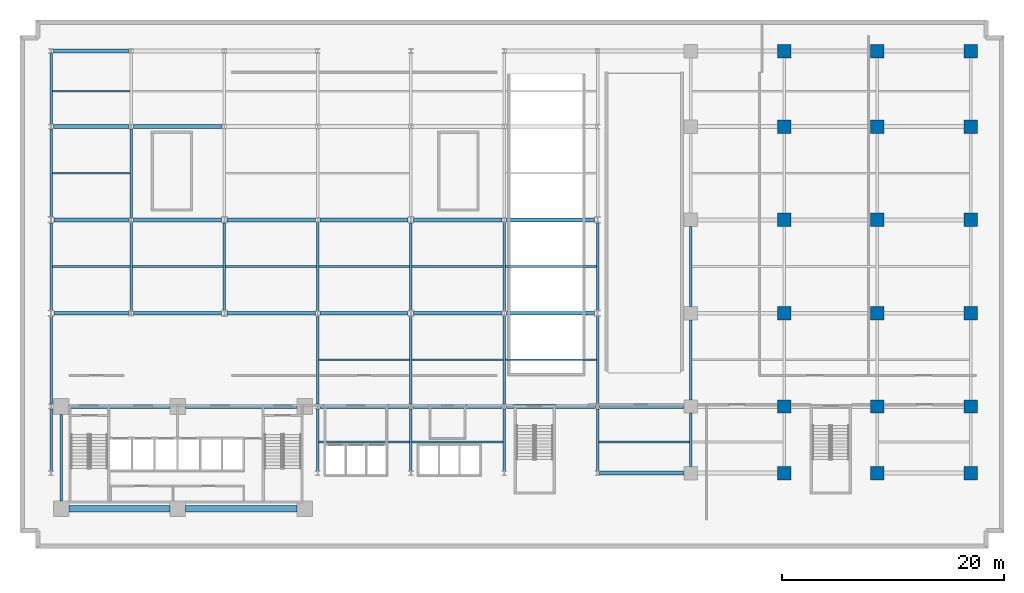
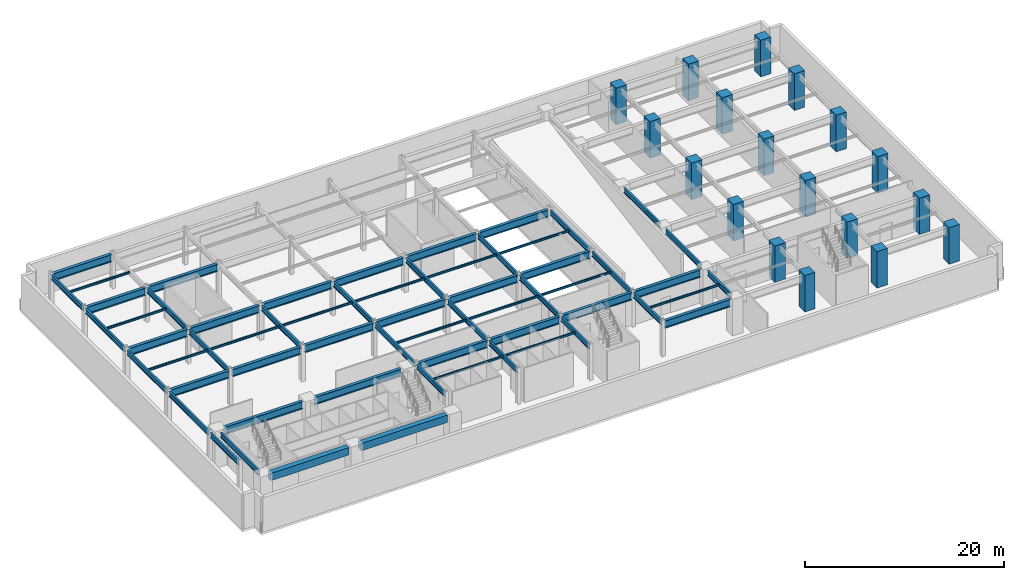
# One storey, part 3 of 14: 62 beams, 18 columns.
"""IFC4 building model written with IfcOpenShell, lengths in metres."""

import ifcopenshell
import ifcopenshell.guid

model = None  # the IFC model being written
_history = None  # IfcOwnerHistory: only IFC2X3 demands one
_inside = {}  # id of a spatial element -> (the spatial element, [elements in it])
_under = {}  # id of a project, library or spatial element -> (it, [spatial elements below it])
_declared = {}  # id of a project -> (the project, [libraries it declares])
_typed = {}  # id of a type object -> (the type object, [elements of that type])
_made_of = {}  # id of a material, layer set ... -> (it, [elements and type objects made of it])


def new_model(schema):
    """Start an empty IFC model of exactly this schema.

    Asked for "IFC4X3", IfcOpenShell would pick the latest addendum, in which some entities
    have other attributes; the version numbers below select the first issue.
    IFC2X3 requires an IfcOwnerHistory on every rooted entity: one is made here for all.
    """
    global model, _history
    if schema == "IFC4X3":
        model = ifcopenshell.file(schema_version=(4, 3, 0, 0))
    else:
        model = ifcopenshell.file(schema=schema)
    _inside.clear()
    _under.clear()
    _declared.clear()
    _typed.clear()
    _made_of.clear()
    _history = None
    if model.schema == "IFC2X3":
        org = make("IfcOrganization", Name="unknown")
        user = make(
            "IfcPersonAndOrganization",
            ThePerson=make("IfcPerson", FamilyName="unknown"),
            TheOrganization=org,
        )
        app = make(
            "IfcApplication",
            ApplicationDeveloper=org,
            Version="unknown",
            ApplicationFullName="unknown",
            ApplicationIdentifier="unknown",
        )
        _history = make(
            "IfcOwnerHistory",
            OwningUser=user,
            OwningApplication=app,
            ChangeAction="ADDED",
            CreationDate=0,
        )
    return model


def make(cls, **values):
    """One entity of the class cls with the attributes given. An attribute that is None is left unset."""
    return model.create_entity(
        cls, **{name: value for name, value in values.items() if value is not None}
    )


def rooted(cls, **values):
    """An entity with a GlobalId (a new one), such as an element, a storey or a relation."""
    return make(cls, GlobalId=ifcopenshell.guid.new(), OwnerHistory=_history, **values)


def si_unit(unit_type, name, prefix=None):
    """IfcSIUnit, for example si_unit("LENGTHUNIT", "METRE", prefix="MILLI")."""
    return make("IfcSIUnit", UnitType=unit_type, Prefix=prefix, Name=name)


def assignment(units):
    """IfcUnitAssignment: the units of a project."""
    return None if units is None else make("IfcUnitAssignment", Units=units)


def point(xyz):
    """IfcCartesianPoint."""
    return None if xyz is None else make("IfcCartesianPoint", Coordinates=xyz)


def direction(xyz):
    """IfcDirection."""
    return None if xyz is None else make("IfcDirection", DirectionRatios=xyz)


def frame(location, z_axis=None, x_axis=None):
    """IfcAxis2Placement3D, a coordinate frame: its origin and axes. An axis left out is left unset."""
    return make(
        "IfcAxis2Placement3D",
        Location=point(location),
        Axis=direction(z_axis),
        RefDirection=direction(x_axis),
    )


def frame_2d(location, x_axis=None):
    """IfcAxis2Placement2D, a coordinate frame in the plane: its origin and x axis."""
    return make(
        "IfcAxis2Placement2D", Location=point(location), RefDirection=direction(x_axis)
    )


def origin():
    """The frame at (0, 0, 0) with its axes left unset."""
    return frame((0.0, 0.0, 0.0))


def origin_2d():
    """The frame at (0, 0) in the plane with its x axis left unset."""
    return frame_2d((0.0, 0.0))


def place(relative_to, where):
    """IfcLocalPlacement: puts the frame where relative to a parent placement (None: the world)."""
    return make(
        "IfcLocalPlacement", PlacementRelTo=relative_to, RelativePlacement=where
    )


def context(
    kind, dimensions, precision=None, world=None, true_north=None, identifier=None
):
    """IfcGeometricRepresentationContext, for example the 3D "Model" context."""
    return make(
        "IfcGeometricRepresentationContext",
        ContextIdentifier=identifier,
        ContextType=kind,
        CoordinateSpaceDimension=dimensions,
        Precision=precision,
        WorldCoordinateSystem=world,
        TrueNorth=true_north,
    )


def subcontext(parent, identifier, kind, view, scale=None):
    """IfcGeometricRepresentationSubContext, for example "Body" below "Model"."""
    return make(
        "IfcGeometricRepresentationSubContext",
        ContextIdentifier=identifier,
        ContextType=kind,
        ParentContext=parent,
        TargetScale=scale,
        TargetView=view,
    )


def project(units=None, contexts=None):
    """IfcProject with its units and contexts."""
    return rooted(
        "IfcProject",
        Name="project",
        RepresentationContexts=contexts,
        UnitsInContext=assignment(units),
    )


def spatial(cls, under=None, at=None, **own):
    """A site, building, storey or space (cls), placed at a placement, below another one or the project."""
    s = rooted(cls, ObjectPlacement=at, **own)
    if under is not None:
        _under.setdefault(under.id(), (under, []))[1].append(s)
    return s


def profile(cls, at=None, kind="AREA", **sizes):
    """A parametric profile (cls). Its sizes go by their IFC names, for example OverallWidth=200.0."""
    return make(cls, ProfileType=kind, Position=at, **sizes)


def rectangle(**sizes):
    """IfcRectangleProfileDef."""
    return profile("IfcRectangleProfileDef", **sizes)


def i_section(**sizes):
    """IfcIShapeProfileDef."""
    return profile("IfcIShapeProfileDef", **sizes)


def extrude(swept, where, along, depth):
    """IfcExtrudedAreaSolid: the profile swept, set in the frame where, extruded along a direction by depth."""
    return make(
        "IfcExtrudedAreaSolid",
        SweptArea=swept,
        Position=where,
        ExtrudedDirection=direction(along),
        Depth=depth,
    )


def shape(context_of_items, identifier, shape_type, items):
    """IfcShapeRepresentation: the items that make up one representation, for example the "Body"."""
    return make(
        "IfcShapeRepresentation",
        ContextOfItems=context_of_items,
        RepresentationIdentifier=identifier,
        RepresentationType=shape_type,
        Items=items,
    )


def material(Name=None, Category=None):
    """IfcMaterial."""
    return make("IfcMaterial", Name=Name, Category=Category)


def material_profile(
    of_material, cross_section, Name=None, Category=None, Priority=None
):
    """IfcMaterialProfile: a cross section and its material."""
    return make(
        "IfcMaterialProfile",
        Name=Name,
        Material=of_material,
        Profile=cross_section,
        Priority=Priority,
        Category=Category,
    )


def profile_set(profiles, Name=None, composite=None):
    """IfcMaterialProfileSet."""
    return make(
        "IfcMaterialProfileSet",
        Name=Name,
        MaterialProfiles=profiles,
        CompositeProfile=composite,
    )


def made_of(thing, what):
    """Note that an element or type object is made of a material, layer set ...; save() writes the relation."""
    if what is not None:
        _made_of.setdefault(what.id(), (what, []))[1].append(thing)
    return thing


def type_object(cls, material=None, **own):
    """A type object (cls), such as IfcWallType, which elements share."""
    return made_of(rooted(cls, **own), material)


def element(
    cls,
    number,
    at=None,
    inside=None,
    cuts=None,
    type_object=None,
    material=None,
    context=None,
    identifier="Body",
    shape_type=None,
    held_by="IfcProductDefinitionShape",
    body=None,
    shapes=None,
    **own,
):
    """One element of the class cls, such as IfcWall. Its Tag is "e" and its number.

    at: its placement. inside: the storey or other place that contains it. cuts: it is an
    opening in that element (IfcRelVoidsElement). A single representation is given by context,
    identifier, shape_type and body (its items); several are given by shapes. held_by: the class
    of the entity that holds the representations. save() writes the other relations.
    """
    e = rooted(cls, Tag="e%d" % number, ObjectPlacement=at, **own)
    if body is not None:
        shapes = [shape(context, identifier, shape_type, body)]
    if shapes is not None:
        e.Representation = make(held_by, Representations=shapes)
    if inside is not None:
        _inside.setdefault(inside.id(), (inside, []))[1].append(e)
    if cuts is not None:
        rooted(
            "IfcRelVoidsElement", RelatingBuildingElement=cuts, RelatedOpeningElement=e
        )
    if type_object is not None:
        _typed.setdefault(type_object.id(), (type_object, []))[1].append(e)
    return made_of(e, material)


def aggregate(whole, parts):
    """IfcRelAggregates: a whole, such as a stair, and the parts it consists of."""
    return rooted("IfcRelAggregates", RelatingObject=whole, RelatedObjects=parts)


def save(model, path):
    """Write the relations noted so far, then the file.

    IfcRelAggregates (storeys below a building ...), IfcRelContainedInSpatialStructure (elements
    in a storey), IfcRelDefinesByType, IfcRelAssociatesMaterial and IfcRelDeclares: one each for
    every whole, place, type object, material and project.
    """
    for whole, parts in _under.values():
        aggregate(whole, parts)
    for where, things in _inside.values():
        rooted(
            "IfcRelContainedInSpatialStructure",
            RelatedElements=things,
            RelatingStructure=where,
        )
    for kind, things in _typed.values():
        rooted("IfcRelDefinesByType", RelatedObjects=things, RelatingType=kind)
    for what, things in _made_of.values():
        rooted("IfcRelAssociatesMaterial", RelatedObjects=things, RelatingMaterial=what)
    for by, libraries in _declared.values():
        rooted("IfcRelDeclares", RelatingContext=by, RelatedDefinitions=libraries)
    model.write(path)


model = new_model("IFC4")

# Units and contexts
model_context = context("Model", 3, precision=1e-05, world=origin(), true_north=direction((0.0, 1.0)))
body_context = subcontext(model_context, "Body", "Model", "MODEL_VIEW")
ifc_project = project(units=[si_unit("LENGTHUNIT", "METRE"), si_unit("AREAUNIT", "SQUARE_METRE"), si_unit("VOLUMEUNIT", "CUBIC_METRE"), si_unit("PLANEANGLEUNIT", "RADIAN"), si_unit("MASSUNIT", "GRAM", prefix="KILO")], contexts=[model_context])

# Site, building, storey
site_placement = place(None, origin())
site = spatial("IfcSite", under=ifc_project, at=site_placement, CompositionType="ELEMENT")
building_placement = place(site_placement, origin())
building = spatial("IfcBuilding", under=site, at=building_placement, Name="Varnakote Quay Hospital", CompositionType="ELEMENT")
storey_placement = place(building_placement, frame((0.0, 0.0, -4.5)))
storey = spatial("IfcBuildingStorey", under=building, at=storey_placement, Name="B01", CompositionType="ELEMENT", Elevation=-4.5)

# Columns
ifc_material_1 = material(Name="Concrete N80 (f'c 80 MPa)", Category="concrete")
ifc_material_profile_1 = material_profile(ifc_material_1, rectangle(XDim=1.199951171875, YDim=1.199951171875, at=origin_2d()), Name="RC-COL-1200x1200")
ifc_profile_set_1 = profile_set([ifc_material_profile_1], Name="Concrete N80 (f'c 80 MPa)")
column_type = type_object("IfcColumnType", Name="COL-RC-1200", PredefinedType="COLUMN", material=ifc_profile_set_1)
for number, where, z_axis, x_axis, name in (
    (1, (67.199951171875, 6.0, 0.0), (0.0, 0.0, 1.0), (1.0, 0.0, 0.0), "B01 Structural Column C-67-6"),
    (2, (75.60009765625, 6.0, 0.0), (0.0, 0.0, 1.0), (1.0, 0.0, 0.0), "B01 Structural Column C-76-6"),
    (3, (84.0, 6.0, 0.0), (0.0, 0.0, 1.0), (1.0, 0.0, 0.0), "B01 Structural Column C-84-6"),
    (4, (67.199951171875, 12.0, 0.0), (0.0, 0.0, 1.0), (1.0, 0.0, 0.0), "B01 Structural Column C-67-12"),
    (5, (75.60009765625, 12.0, 0.0), (0.0, 0.0, 1.0), (1.0, 0.0, 0.0), "B01 Structural Column C-76-12"),
    (6, (84.0, 12.0, 0.0), (0.0, 0.0, 1.0), (1.0, 0.0, 0.0), "B01 Structural Column C-84-12"),
    (7, (67.199951171875, 20.39990234375, 0.0), (0.0, 0.0, 1.0), (1.0, 0.0, 0.0), "B01 Structural Column C-67-20"),
    (8, (75.60009765625, 20.39990234375, 0.0), (0.0, 0.0, 1.0), (1.0, 0.0, 0.0), "B01 Structural Column C-76-20"),
    (9, (84.0, 20.39990234375, 0.0), (0.0, 0.0, 1.0), (1.0, 0.0, 0.0), "B01 Structural Column C-84-20"),
    (10, (67.199951171875, 28.800048828125, 0.0), (0.0, 0.0, 1.0), (1.0, 0.0, 0.0), "B01 Structural Column C-67-29"),
    (11, (75.60009765625, 28.800048828125, 0.0), (0.0, 0.0, 1.0), (1.0, 0.0, 0.0), "B01 Structural Column C-76-29"),
    (12, (84.0, 28.800048828125, 0.0), (0.0, 0.0, 1.0), (1.0, 0.0, 0.0), "B01 Structural Column C-84-29"),
    (13, (67.199951171875, 37.199951171875, 0.0), (0.0, 0.0, 1.0), (1.0, 0.0, 0.0), "B01 Structural Column C-67-37"),
    (14, (75.60009765625, 37.199951171875, 0.0), (0.0, 0.0, 1.0), (1.0, 0.0, 0.0), "B01 Structural Column C-76-37"),
    (15, (84.0, 37.199951171875, 0.0), (0.0, 0.0, 1.0), (1.0, 0.0, 0.0), "B01 Structural Column C-84-37"),
    (16, (67.199951171875, 44.0, 0.0), (0.0, 0.0, 1.0), (1.0, 0.0, 0.0), "B01 Structural Column C-67-44"),
    (17, (75.60009765625, 44.0, 0.0), (0.0, 0.0, 1.0), (1.0, 0.0, 0.0), "B01 Structural Column C-76-44"),
    (18, (84.0, 44.0, 0.0), (0.0, 0.0, 1.0), (1.0, 0.0, 0.0), "B01 Structural Column C-84-44"),
):
    element("IfcColumn", number, at=place(storey_placement, frame(where, z_axis=z_axis, x_axis=x_axis)), inside=storey, type_object=column_type, Name=name, PredefinedType="COLUMN", context=body_context, shape_type="SweptSolid", body=[
        extrude(rectangle(XDim=1.199951171875, YDim=1.199951171875, at=origin_2d()), origin(), (0.0, 0.0, 1.0), 4.5),
    ])

# Beams
ifc_material_2 = material(Name="Concrete N65 (f'c 65 MPa)", Category="concrete")
ifc_material_profile_2 = material_profile(ifc_material_2, rectangle(XDim=0.60009765625, YDim=0.89990234375, at=origin_2d()), Name="RC-BM-600x900")
ifc_profile_set_2 = profile_set([ifc_material_profile_2], Name="Concrete N65 (f'c 65 MPa)")
beam_type_1 = type_object("IfcBeamType", Name="BM-RC-600x900", PredefinedType="BEAM", material=ifc_profile_set_2)
beam_1_placement = place(storey_placement, frame((2.800048828125, 2.800048828125, 3.800048828125), z_axis=(1.0, 0.0, 0.0), x_axis=(0.0, 1.0, 0.0)))
element("IfcBeam", 19, at=beam_1_placement, inside=storey, type_object=beam_type_1, Name="B01 Core Rear Coupling Beam", PredefinedType="BEAM", context=body_context, shape_type="SweptSolid", body=[
    extrude(rectangle(XDim=0.60009765625, YDim=0.89990234375, at=origin_2d()), origin(), (0.0, 0.0, 1.0), 9.119873046875),
])
beam_2_placement = place(storey_placement, frame((13.320068359375, 2.800048828125, 3.800048828125), z_axis=(1.0, 0.0, 0.0), x_axis=(0.0, 1.0, 0.0)))
element("IfcBeam", 20, at=beam_2_placement, inside=storey, type_object=beam_type_1, Name="B01 Core Rear Coupling Beam", PredefinedType="BEAM", context=body_context, shape_type="SweptSolid", body=[
    extrude(rectangle(XDim=0.60009765625, YDim=0.89990234375, at=origin_2d()), origin(), (0.0, 0.0, 1.0), 10.030029296875),
])
ifc_material_3 = material(Name="Structural steel AS/NZS 3679.1 Grade 350 L0 (fy 340 MPa)", Category="steel")
ifc_material_profile_3 = material_profile(ifc_material_3, i_section(OverallWidth=0.22802734375, OverallDepth=0.60205078125, WebThickness=0.010498046875, FlangeThickness=0.014892578125, FilletRadius=0.013916015625, at=origin_2d()), Name="610UB101")
ifc_profile_set_3 = profile_set([ifc_material_profile_3], Name="Structural steel AS/NZS 3679.1 Grade 350 L0 (fy 340 MPa)")
beam_type_2 = type_object("IfcBeamType", Name="BM-STL-610UB101", PredefinedType="BEAM", material=ifc_profile_set_3)
beam_3_placement = place(storey_placement, frame((1.199951171875, 6.2099609375, 3.948974609375), z_axis=(0.0, 1.0, 0.0), x_axis=(-1.0, 0.0, 0.0)))
element("IfcBeam", 21, at=beam_3_placement, inside=storey, type_object=beam_type_2, Name="B01 Primary Tie Beam", PredefinedType="BEAM", context=body_context, shape_type="SweptSolid", body=[
    extrude(i_section(OverallWidth=0.22802734375, OverallDepth=0.60205078125, WebThickness=0.010498046875, FlangeThickness=0.014892578125, FilletRadius=0.013916015625, at=origin_2d()), origin(), (0.0, 0.0, 1.0), 5.580078125),
])
beam_4_placement = place(storey_placement, frame((1.199951171875, 12.2099609375, 3.948974609375), z_axis=(0.0, 1.0, 0.0), x_axis=(-1.0, 0.0, 0.0)))
element("IfcBeam", 22, at=beam_4_placement, inside=storey, type_object=beam_type_2, Name="B01 Primary Tie Beam", PredefinedType="BEAM", context=body_context, shape_type="SweptSolid", body=[
    extrude(i_section(OverallWidth=0.22802734375, OverallDepth=0.60205078125, WebThickness=0.010498046875, FlangeThickness=0.014892578125, FilletRadius=0.013916015625, at=origin_2d()), origin(), (0.0, 0.0, 1.0), 7.925048828125),
])
beam_5_placement = place(storey_placement, frame((1.199951171875, 20.6650390625, 3.948974609375), z_axis=(0.0, 1.0, 0.0), x_axis=(-1.0, 0.0, 0.0)))
element("IfcBeam", 23, at=beam_5_placement, inside=storey, type_object=beam_type_2, Name="B01 Primary Tie Beam", PredefinedType="BEAM", context=body_context, shape_type="SweptSolid", body=[
    extrude(i_section(OverallWidth=0.22802734375, OverallDepth=0.60205078125, WebThickness=0.010498046875, FlangeThickness=0.014892578125, FilletRadius=0.013916015625, at=origin_2d()), origin(), (0.0, 0.0, 1.0), 7.869873046875),
])
beam_6_placement = place(storey_placement, frame((1.199951171875, 29.06494140625, 3.948974609375), z_axis=(0.0, 1.0, 0.0), x_axis=(-1.0, 0.0, 0.0)))
element("IfcBeam", 24, at=beam_6_placement, inside=storey, type_object=beam_type_2, Name="B01 Primary Tie Beam", PredefinedType="BEAM", context=body_context, shape_type="SweptSolid", body=[
    extrude(i_section(OverallWidth=0.22802734375, OverallDepth=0.60205078125, WebThickness=0.010498046875, FlangeThickness=0.014892578125, FilletRadius=0.013916015625, at=origin_2d()), origin(), (0.0, 0.0, 1.0), 7.925048828125),
])
beam_7_placement = place(storey_placement, frame((1.199951171875, 37.409912109375, 3.948974609375), z_axis=(0.0, 1.0, 0.0), x_axis=(-1.0, 0.0, 0.0)))
element("IfcBeam", 25, at=beam_7_placement, inside=storey, type_object=beam_type_2, Name="B01 Primary Tie Beam", PredefinedType="BEAM", context=body_context, shape_type="SweptSolid", body=[
    extrude(i_section(OverallWidth=0.22802734375, OverallDepth=0.60205078125, WebThickness=0.010498046875, FlangeThickness=0.014892578125, FilletRadius=0.013916015625, at=origin_2d()), origin(), (0.0, 0.0, 1.0), 6.380126953125),
])
beam_8_placement = place(storey_placement, frame((2.10009765625, 3.5, 3.948974609375), z_axis=(0.0, 1.0, 0.0), x_axis=(-1.0, 0.0, 0.0)))
element("IfcBeam", 26, at=beam_8_placement, inside=storey, type_object=beam_type_2, Name="B01 Primary Tie Beam", PredefinedType="BEAM", context=body_context, shape_type="SweptSolid", body=[
    extrude(i_section(OverallWidth=0.22802734375, OverallDepth=0.60205078125, WebThickness=0.010498046875, FlangeThickness=0.014892578125, FilletRadius=0.013916015625, at=origin_2d()), origin(), (0.0, 0.0, 1.0), 7.800048828125),
])
for number, where, z_axis, x_axis, name in (
    (27, (8.39990234375, 20.610107421875, 3.948974609375), (0.0, 1.0, 0.0), (-1.0, 0.0, 0.0), "B01 Primary Tie Beam"),
    (28, (8.39990234375, 29.010009765625, 3.948974609375), (0.0, 1.0, 0.0), (-1.0, 0.0, 0.0), "B01 Primary Tie Beam"),
):
    element("IfcBeam", number, at=place(storey_placement, frame(where, z_axis=z_axis, x_axis=x_axis)), inside=storey, type_object=beam_type_2, Name=name, PredefinedType="BEAM", context=body_context, shape_type="SweptSolid", body=[
        extrude(i_section(OverallWidth=0.22802734375, OverallDepth=0.60205078125, WebThickness=0.010498046875, FlangeThickness=0.014892578125, FilletRadius=0.013916015625, at=origin_2d()), origin(), (0.0, 0.0, 1.0), 7.97998046875),
    ])
beam_9_placement = place(storey_placement, frame((16.800048828125, 20.6650390625, 3.948974609375), z_axis=(0.0, 1.0, 0.0), x_axis=(-1.0, 0.0, 0.0)))
element("IfcBeam", 29, at=beam_9_placement, inside=storey, type_object=beam_type_2, Name="B01 Primary Tie Beam", PredefinedType="BEAM", context=body_context, shape_type="SweptSolid", body=[
    extrude(i_section(OverallWidth=0.22802734375, OverallDepth=0.60205078125, WebThickness=0.010498046875, FlangeThickness=0.014892578125, FilletRadius=0.013916015625, at=origin_2d()), origin(), (0.0, 0.0, 1.0), 7.869873046875),
])
beam_10_placement = place(storey_placement, frame((25.199951171875, 6.2099609375, 3.948974609375), z_axis=(0.0, 1.0, 0.0), x_axis=(-1.0, 0.0, 0.0)))
element("IfcBeam", 30, at=beam_10_placement, inside=storey, type_object=beam_type_2, Name="B01 Primary Tie Beam", PredefinedType="BEAM", context=body_context, shape_type="SweptSolid", body=[
    extrude(i_section(OverallWidth=0.22802734375, OverallDepth=0.60205078125, WebThickness=0.010498046875, FlangeThickness=0.014892578125, FilletRadius=0.013916015625, at=origin_2d()), origin(), (0.0, 0.0, 1.0), 5.580078125),
])
for number, where, z_axis, x_axis, name in (
    (31, (25.199951171875, 12.2099609375, 3.948974609375), (0.0, 1.0, 0.0), (-1.0, 0.0, 0.0), "B01 Primary Tie Beam"),
    (32, (25.199951171875, 20.610107421875, 3.948974609375), (0.0, 1.0, 0.0), (-1.0, 0.0, 0.0), "B01 Primary Tie Beam"),
):
    element("IfcBeam", number, at=place(storey_placement, frame(where, z_axis=z_axis, x_axis=x_axis)), inside=storey, type_object=beam_type_2, Name=name, PredefinedType="BEAM", context=body_context, shape_type="SweptSolid", body=[
        extrude(i_section(OverallWidth=0.22802734375, OverallDepth=0.60205078125, WebThickness=0.010498046875, FlangeThickness=0.014892578125, FilletRadius=0.013916015625, at=origin_2d()), origin(), (0.0, 0.0, 1.0), 7.97998046875),
    ])
beam_11_placement = place(storey_placement, frame((33.60009765625, 6.2099609375, 3.948974609375), z_axis=(0.0, 1.0, 0.0), x_axis=(-1.0, 0.0, 0.0)))
element("IfcBeam", 33, at=beam_11_placement, inside=storey, type_object=beam_type_2, Name="B01 Primary Tie Beam", PredefinedType="BEAM", context=body_context, shape_type="SweptSolid", body=[
    extrude(i_section(OverallWidth=0.22802734375, OverallDepth=0.60205078125, WebThickness=0.010498046875, FlangeThickness=0.014892578125, FilletRadius=0.013916015625, at=origin_2d()), origin(), (0.0, 0.0, 1.0), 5.580078125),
])
beam_12_placement = place(storey_placement, frame((33.60009765625, 12.2099609375, 3.948974609375), z_axis=(0.0, 1.0, 0.0), x_axis=(-1.0, 0.0, 0.0)))
element("IfcBeam", 34, at=beam_12_placement, inside=storey, type_object=beam_type_2, Name="B01 Primary Tie Beam", PredefinedType="BEAM", context=body_context, shape_type="SweptSolid", body=[
    extrude(i_section(OverallWidth=0.22802734375, OverallDepth=0.60205078125, WebThickness=0.010498046875, FlangeThickness=0.014892578125, FilletRadius=0.013916015625, at=origin_2d()), origin(), (0.0, 0.0, 1.0), 7.925048828125),
])
beam_13_placement = place(storey_placement, frame((33.60009765625, 20.6650390625, 3.948974609375), z_axis=(0.0, 1.0, 0.0), x_axis=(-1.0, 0.0, 0.0)))
element("IfcBeam", 35, at=beam_13_placement, inside=storey, type_object=beam_type_2, Name="B01 Primary Tie Beam", PredefinedType="BEAM", context=body_context, shape_type="SweptSolid", body=[
    extrude(i_section(OverallWidth=0.22802734375, OverallDepth=0.60205078125, WebThickness=0.010498046875, FlangeThickness=0.014892578125, FilletRadius=0.013916015625, at=origin_2d()), origin(), (0.0, 0.0, 1.0), 7.869873046875),
])
beam_14_placement = place(storey_placement, frame((42.0, 6.2099609375, 3.948974609375), z_axis=(0.0, 1.0, 0.0), x_axis=(-1.0, 0.0, 0.0)))
element("IfcBeam", 36, at=beam_14_placement, inside=storey, type_object=beam_type_2, Name="B01 Primary Tie Beam", PredefinedType="BEAM", context=body_context, shape_type="SweptSolid", body=[
    extrude(i_section(OverallWidth=0.22802734375, OverallDepth=0.60205078125, WebThickness=0.010498046875, FlangeThickness=0.014892578125, FilletRadius=0.013916015625, at=origin_2d()), origin(), (0.0, 0.0, 1.0), 5.580078125),
])
for number, where, z_axis, x_axis, name in (
    (37, (42.0, 12.2099609375, 3.948974609375), (0.0, 1.0, 0.0), (-1.0, 0.0, 0.0), "B01 Primary Tie Beam"),
    (38, (42.0, 20.610107421875, 3.948974609375), (0.0, 1.0, 0.0), (-1.0, 0.0, 0.0), "B01 Primary Tie Beam"),
):
    element("IfcBeam", number, at=place(storey_placement, frame(where, z_axis=z_axis, x_axis=x_axis)), inside=storey, type_object=beam_type_2, Name=name, PredefinedType="BEAM", context=body_context, shape_type="SweptSolid", body=[
        extrude(i_section(OverallWidth=0.22802734375, OverallDepth=0.60205078125, WebThickness=0.010498046875, FlangeThickness=0.014892578125, FilletRadius=0.013916015625, at=origin_2d()), origin(), (0.0, 0.0, 1.0), 7.97998046875),
    ])
beam_15_placement = place(storey_placement, frame((50.39990234375, 6.2099609375, 3.948974609375), z_axis=(0.0, 1.0, 0.0), x_axis=(-1.0, 0.0, 0.0)))
element("IfcBeam", 39, at=beam_15_placement, inside=storey, type_object=beam_type_2, Name="B01 Primary Tie Beam", PredefinedType="BEAM", context=body_context, shape_type="SweptSolid", body=[
    extrude(i_section(OverallWidth=0.22802734375, OverallDepth=0.60205078125, WebThickness=0.010498046875, FlangeThickness=0.014892578125, FilletRadius=0.013916015625, at=origin_2d()), origin(), (0.0, 0.0, 1.0), 5.580078125),
])
beam_16_placement = place(storey_placement, frame((50.39990234375, 12.2099609375, 3.948974609375), z_axis=(0.0, 1.0, 0.0), x_axis=(-1.0, 0.0, 0.0)))
element("IfcBeam", 40, at=beam_16_placement, inside=storey, type_object=beam_type_2, Name="B01 Primary Tie Beam", PredefinedType="BEAM", context=body_context, shape_type="SweptSolid", body=[
    extrude(i_section(OverallWidth=0.22802734375, OverallDepth=0.60205078125, WebThickness=0.010498046875, FlangeThickness=0.014892578125, FilletRadius=0.013916015625, at=origin_2d()), origin(), (0.0, 0.0, 1.0), 7.925048828125),
])
beam_17_placement = place(storey_placement, frame((50.39990234375, 20.6650390625, 3.948974609375), z_axis=(0.0, 1.0, 0.0), x_axis=(-1.0, 0.0, 0.0)))
element("IfcBeam", 41, at=beam_17_placement, inside=storey, type_object=beam_type_2, Name="B01 Primary Tie Beam", PredefinedType="BEAM", context=body_context, shape_type="SweptSolid", body=[
    extrude(i_section(OverallWidth=0.22802734375, OverallDepth=0.60205078125, WebThickness=0.010498046875, FlangeThickness=0.014892578125, FilletRadius=0.013916015625, at=origin_2d()), origin(), (0.0, 0.0, 1.0), 7.869873046875),
])
beam_18_placement = place(storey_placement, frame((58.800048828125, 6.60009765625, 3.948974609375), z_axis=(0.0, 1.0, 0.0), x_axis=(-1.0, 0.0, 0.0)))
element("IfcBeam", 42, at=beam_18_placement, inside=storey, type_object=beam_type_2, Name="B01 Primary Tie Beam", PredefinedType="BEAM", context=body_context, shape_type="SweptSolid", body=[
    extrude(i_section(OverallWidth=0.22802734375, OverallDepth=0.60205078125, WebThickness=0.010498046875, FlangeThickness=0.014892578125, FilletRadius=0.013916015625, at=origin_2d()), origin(), (0.0, 0.0, 1.0), 4.7998046875),
])
for number, where, z_axis, x_axis, name in (
    (43, (58.800048828125, 12.60009765625, 3.948974609375), (0.0, 1.0, 0.0), (-1.0, 0.0, 0.0), "B01 Primary Tie Beam"),
    (44, (58.800048828125, 21.0, 3.948974609375), (0.0, 1.0, 0.0), (-1.0, 0.0, 0.0), "B01 Primary Tie Beam"),
):
    element("IfcBeam", number, at=place(storey_placement, frame(where, z_axis=z_axis, x_axis=x_axis)), inside=storey, type_object=beam_type_2, Name=name, PredefinedType="BEAM", context=body_context, shape_type="SweptSolid", body=[
        extrude(i_section(OverallWidth=0.22802734375, OverallDepth=0.60205078125, WebThickness=0.010498046875, FlangeThickness=0.014892578125, FilletRadius=0.013916015625, at=origin_2d()), origin(), (0.0, 0.0, 1.0), 7.199951171875),
    ])
ifc_material_4 = material(Name="Structural steel AS/NZS 3678 Grade 350 (fy 340 MPa)", Category="steel")
ifc_material_profile_4 = material_profile(ifc_material_4, i_section(OverallWidth=0.35009765625, OverallDepth=0.909912109375, WebThickness=0.011962890625, FlangeThickness=0.02490234375, at=origin_2d()), Name="900WB218")
ifc_profile_set_4 = profile_set([ifc_material_profile_4], Name="Structural steel AS/NZS 3678 Grade 350 (fy 340 MPa)")
beam_type_3 = type_object("IfcBeamType", Name="BM-STL-900WB218", PredefinedType="BEAM", material=ifc_profile_set_4)
beam_19_placement = place(storey_placement, frame((50.60009765625, 6.0, 3.794921875), z_axis=(1.0, 0.0, 0.0), x_axis=(0.0, 1.0, 0.0)))
element("IfcBeam", 45, at=beam_19_placement, inside=storey, type_object=beam_type_3, Name="B01 Primary Floor Beam", PredefinedType="BEAM", context=body_context, shape_type="SweptSolid", body=[
    extrude(i_section(OverallWidth=0.35009765625, OverallDepth=0.909912109375, WebThickness=0.011962890625, FlangeThickness=0.02490234375, at=origin_2d()), origin(), (0.0, 0.0, 1.0), 7.599853515625),
])
beam_20_placement = place(storey_placement, frame((2.800048828125, 12.0, 3.794921875), z_axis=(1.0, 0.0, 0.0), x_axis=(0.0, 1.0, 0.0)))
element("IfcBeam", 46, at=beam_20_placement, inside=storey, type_object=beam_type_3, Name="B01 Primary Floor Beam", PredefinedType="BEAM", context=body_context, shape_type="SweptSolid", body=[
    extrude(i_section(OverallWidth=0.35009765625, OverallDepth=0.909912109375, WebThickness=0.011962890625, FlangeThickness=0.02490234375, at=origin_2d()), origin(), (0.0, 0.0, 1.0), 9.119873046875),
])
beam_21_placement = place(storey_placement, frame((13.320068359375, 12.0, 3.794921875), z_axis=(1.0, 0.0, 0.0), x_axis=(0.0, 1.0, 0.0)))
element("IfcBeam", 47, at=beam_21_placement, inside=storey, type_object=beam_type_3, Name="B01 Primary Floor Beam", PredefinedType="BEAM", context=body_context, shape_type="SweptSolid", body=[
    extrude(i_section(OverallWidth=0.35009765625, OverallDepth=0.909912109375, WebThickness=0.011962890625, FlangeThickness=0.02490234375, at=origin_2d()), origin(), (0.0, 0.0, 1.0), 10.030029296875),
])
for number, where, z_axis, x_axis, name in (
    (48, (25.39990234375, 12.0, 3.794921875), (1.0, 0.0, 0.0), (0.0, 1.0, 0.0), "B01 Primary Floor Beam"),
    (49, (33.800048828125, 12.0, 3.794921875), (1.0, 0.0, 0.0), (0.0, 1.0, 0.0), "B01 Primary Floor Beam"),
    (50, (42.199951171875, 12.0, 3.794921875), (1.0, 0.0, 0.0), (0.0, 1.0, 0.0), "B01 Primary Floor Beam"),
):
    element("IfcBeam", number, at=place(storey_placement, frame(where, z_axis=z_axis, x_axis=x_axis)), inside=storey, type_object=beam_type_3, Name=name, PredefinedType="BEAM", context=body_context, shape_type="SweptSolid", body=[
        extrude(i_section(OverallWidth=0.35009765625, OverallDepth=0.909912109375, WebThickness=0.011962890625, FlangeThickness=0.02490234375, at=origin_2d()), origin(), (0.0, 0.0, 1.0), 8.0),
    ])
beam_22_placement = place(storey_placement, frame((50.60009765625, 12.0, 3.794921875), z_axis=(1.0, 0.0, 0.0), x_axis=(0.0, 1.0, 0.0)))
element("IfcBeam", 51, at=beam_22_placement, inside=storey, type_object=beam_type_3, Name="B01 Primary Floor Beam", PredefinedType="BEAM", context=body_context, shape_type="SweptSolid", body=[
    extrude(i_section(OverallWidth=0.35009765625, OverallDepth=0.909912109375, WebThickness=0.011962890625, FlangeThickness=0.02490234375, at=origin_2d()), origin(), (0.0, 0.0, 1.0), 7.599853515625),
])
beam_23_placement = place(storey_placement, frame((1.449951171875, 20.39990234375, 3.794921875), z_axis=(1.0, 0.0, 0.0), x_axis=(0.0, 1.0, 0.0)))
element("IfcBeam", 52, at=beam_23_placement, inside=storey, type_object=beam_type_3, Name="B01 Primary Floor Beam", PredefinedType="BEAM", context=body_context, shape_type="SweptSolid", body=[
    extrude(i_section(OverallWidth=0.35009765625, OverallDepth=0.909912109375, WebThickness=0.011962890625, FlangeThickness=0.02490234375, at=origin_2d()), origin(), (0.0, 0.0, 1.0), 6.75),
])
for number, where, z_axis, x_axis, name in (
    (53, (8.60009765625, 20.39990234375, 3.794921875), (1.0, 0.0, 0.0), (0.0, 1.0, 0.0), "B01 Primary Floor Beam"),
    (54, (17.050048828125, 20.39990234375, 3.794921875), (1.0, 0.0, 0.0), (0.0, 1.0, 0.0), "B01 Primary Floor Beam"),
):
    element("IfcBeam", number, at=place(storey_placement, frame(where, z_axis=z_axis, x_axis=x_axis)), inside=storey, type_object=beam_type_3, Name=name, PredefinedType="BEAM", context=body_context, shape_type="SweptSolid", body=[
        extrude(i_section(OverallWidth=0.35009765625, OverallDepth=0.909912109375, WebThickness=0.011962890625, FlangeThickness=0.02490234375, at=origin_2d()), origin(), (0.0, 0.0, 1.0), 7.949951171875),
    ])
beam_24_placement = place(storey_placement, frame((25.39990234375, 20.39990234375, 3.794921875), z_axis=(1.0, 0.0, 0.0), x_axis=(0.0, 1.0, 0.0)))
element("IfcBeam", 55, at=beam_24_placement, inside=storey, type_object=beam_type_3, Name="B01 Primary Floor Beam", PredefinedType="BEAM", context=body_context, shape_type="SweptSolid", body=[
    extrude(i_section(OverallWidth=0.35009765625, OverallDepth=0.909912109375, WebThickness=0.011962890625, FlangeThickness=0.02490234375, at=origin_2d()), origin(), (0.0, 0.0, 1.0), 7.9501953125),
])
for number, where, z_axis, x_axis, name in (
    (56, (33.85009765625, 20.39990234375, 3.794921875), (1.0, 0.0, 0.0), (0.0, 1.0, 0.0), "B01 Primary Floor Beam"),
    (57, (42.199951171875, 20.39990234375, 3.794921875), (1.0, 0.0, 0.0), (0.0, 1.0, 0.0), "B01 Primary Floor Beam"),
):
    element("IfcBeam", number, at=place(storey_placement, frame(where, z_axis=z_axis, x_axis=x_axis)), inside=storey, type_object=beam_type_3, Name=name, PredefinedType="BEAM", context=body_context, shape_type="SweptSolid", body=[
        extrude(i_section(OverallWidth=0.35009765625, OverallDepth=0.909912109375, WebThickness=0.011962890625, FlangeThickness=0.02490234375, at=origin_2d()), origin(), (0.0, 0.0, 1.0), 7.949951171875),
    ])
beam_25_placement = place(storey_placement, frame((1.449951171875, 28.800048828125, 3.794921875), z_axis=(1.0, 0.0, 0.0), x_axis=(0.0, 1.0, 0.0)))
element("IfcBeam", 58, at=beam_25_placement, inside=storey, type_object=beam_type_3, Name="B01 Primary Floor Beam", PredefinedType="BEAM", context=body_context, shape_type="SweptSolid", body=[
    extrude(i_section(OverallWidth=0.35009765625, OverallDepth=0.909912109375, WebThickness=0.011962890625, FlangeThickness=0.02490234375, at=origin_2d()), origin(), (0.0, 0.0, 1.0), 6.75),
])
for number, where, z_axis, x_axis, name in (
    (59, (8.60009765625, 28.800048828125, 3.794921875), (1.0, 0.0, 0.0), (0.0, 1.0, 0.0), "B01 Primary Floor Beam"),
    (60, (17.050048828125, 28.800048828125, 3.794921875), (1.0, 0.0, 0.0), (0.0, 1.0, 0.0), "B01 Primary Floor Beam"),
):
    element("IfcBeam", number, at=place(storey_placement, frame(where, z_axis=z_axis, x_axis=x_axis)), inside=storey, type_object=beam_type_3, Name=name, PredefinedType="BEAM", context=body_context, shape_type="SweptSolid", body=[
        extrude(i_section(OverallWidth=0.35009765625, OverallDepth=0.909912109375, WebThickness=0.011962890625, FlangeThickness=0.02490234375, at=origin_2d()), origin(), (0.0, 0.0, 1.0), 7.949951171875),
    ])
beam_26_placement = place(storey_placement, frame((25.39990234375, 28.800048828125, 3.794921875), z_axis=(1.0, 0.0, 0.0), x_axis=(0.0, 1.0, 0.0)))
element("IfcBeam", 61, at=beam_26_placement, inside=storey, type_object=beam_type_3, Name="B01 Primary Floor Beam", PredefinedType="BEAM", context=body_context, shape_type="SweptSolid", body=[
    extrude(i_section(OverallWidth=0.35009765625, OverallDepth=0.909912109375, WebThickness=0.011962890625, FlangeThickness=0.02490234375, at=origin_2d()), origin(), (0.0, 0.0, 1.0), 7.9501953125),
])
for number, where, z_axis, x_axis, name in (
    (62, (33.85009765625, 28.800048828125, 3.794921875), (1.0, 0.0, 0.0), (0.0, 1.0, 0.0), "B01 Primary Floor Beam"),
    (63, (42.199951171875, 28.800048828125, 3.794921875), (1.0, 0.0, 0.0), (0.0, 1.0, 0.0), "B01 Primary Floor Beam"),
):
    element("IfcBeam", number, at=place(storey_placement, frame(where, z_axis=z_axis, x_axis=x_axis)), inside=storey, type_object=beam_type_3, Name=name, PredefinedType="BEAM", context=body_context, shape_type="SweptSolid", body=[
        extrude(i_section(OverallWidth=0.35009765625, OverallDepth=0.909912109375, WebThickness=0.011962890625, FlangeThickness=0.02490234375, at=origin_2d()), origin(), (0.0, 0.0, 1.0), 7.949951171875),
    ])
beam_27_placement = place(storey_placement, frame((1.39990234375, 37.199951171875, 3.794921875), z_axis=(1.0, 0.0, 0.0), x_axis=(0.0, 1.0, 0.0)))
element("IfcBeam", 64, at=beam_27_placement, inside=storey, type_object=beam_type_3, Name="B01 Primary Floor Beam", PredefinedType="BEAM", context=body_context, shape_type="SweptSolid", body=[
    extrude(i_section(OverallWidth=0.35009765625, OverallDepth=0.909912109375, WebThickness=0.011962890625, FlangeThickness=0.02490234375, at=origin_2d()), origin(), (0.0, 0.0, 1.0), 6.800048828125),
])
beam_28_placement = place(storey_placement, frame((8.60009765625, 37.199951171875, 3.794921875), z_axis=(1.0, 0.0, 0.0), x_axis=(0.0, 1.0, 0.0)))
element("IfcBeam", 65, at=beam_28_placement, inside=storey, type_object=beam_type_3, Name="B01 Primary Floor Beam", PredefinedType="BEAM", context=body_context, shape_type="SweptSolid", body=[
    extrude(i_section(OverallWidth=0.35009765625, OverallDepth=0.909912109375, WebThickness=0.011962890625, FlangeThickness=0.02490234375, at=origin_2d()), origin(), (0.0, 0.0, 1.0), 8.0),
])
beam_29_placement = place(storey_placement, frame((1.39990234375, 44.0, 3.794921875), z_axis=(1.0, 0.0, 0.0), x_axis=(0.0, 1.0, 0.0)))
element("IfcBeam", 66, at=beam_29_placement, inside=storey, type_object=beam_type_3, Name="B01 Primary Floor Beam", PredefinedType="BEAM", context=body_context, shape_type="SweptSolid", body=[
    extrude(i_section(OverallWidth=0.35009765625, OverallDepth=0.909912109375, WebThickness=0.011962890625, FlangeThickness=0.02490234375, at=origin_2d()), origin(), (0.0, 0.0, 1.0), 6.800048828125),
])
ifc_material_5 = material(Name="Structural steel AS/NZS 3679.1 Grade 350 L0 (fy 340 MPa)", Category="steel")
ifc_material_profile_5 = material_profile(ifc_material_5, i_section(OverallWidth=0.14599609375, OverallDepth=0.256103515625, WebThickness=0.00634765625, FlangeThickness=0.010986328125, FilletRadius=0.0087890625, at=origin_2d()), Name="250UB37.3")
ifc_profile_set_5 = profile_set([ifc_material_profile_5], Name="Structural steel AS/NZS 3679.1 Grade 350 L0 (fy 340 MPa)")
beam_type_4 = type_object("IfcBeamType", Name="JST-STL-250UB37-3", PredefinedType="JOIST", material=ifc_profile_set_5)
beam_30_placement = place(storey_placement, frame((25.31396484375, 8.800048828125, 4.1220703125), z_axis=(1.0, 0.0, 0.0), x_axis=(0.0, 1.0, 0.0)))
element("IfcBeam", 67, at=beam_30_placement, inside=storey, type_object=beam_type_4, Name="B01 Composite Floor Joist", PredefinedType="JOIST", context=body_context, shape_type="SweptSolid", body=[
    extrude(i_section(OverallWidth=0.14599609375, OverallDepth=0.256103515625, WebThickness=0.00634765625, FlangeThickness=0.010986328125, FilletRadius=0.0087890625, at=origin_2d()), origin(), (0.0, 0.0, 1.0), 8.172119140625),
])
beam_31_placement = place(storey_placement, frame((33.714111328125, 8.800048828125, 4.1220703125), z_axis=(1.0, 0.0, 0.0), x_axis=(0.0, 1.0, 0.0)))
element("IfcBeam", 68, at=beam_31_placement, inside=storey, type_object=beam_type_4, Name="B01 Composite Floor Joist", PredefinedType="JOIST", context=body_context, shape_type="SweptSolid", body=[
    extrude(i_section(OverallWidth=0.14599609375, OverallDepth=0.256103515625, WebThickness=0.00634765625, FlangeThickness=0.010986328125, FilletRadius=0.0087890625, at=origin_2d()), origin(), (0.0, 0.0, 1.0), 8.171875),
])
for number, where, z_axis, x_axis, name in (
    (69, (50.513916015625, 8.800048828125, 4.1220703125), (1.0, 0.0, 0.0), (0.0, 1.0, 0.0), "B01 Composite Floor Joist"),
    (70, (25.31396484375, 16.199951171875, 4.1220703125), (1.0, 0.0, 0.0), (0.0, 1.0, 0.0), "B01 Composite Floor Joist"),
):
    element("IfcBeam", number, at=place(storey_placement, frame(where, z_axis=z_axis, x_axis=x_axis)), inside=storey, type_object=beam_type_4, Name=name, PredefinedType="JOIST", context=body_context, shape_type="SweptSolid", body=[
        extrude(i_section(OverallWidth=0.14599609375, OverallDepth=0.256103515625, WebThickness=0.00634765625, FlangeThickness=0.010986328125, FilletRadius=0.0087890625, at=origin_2d()), origin(), (0.0, 0.0, 1.0), 8.172119140625),
    ])
for number, where, z_axis, x_axis, name in (
    (71, (33.714111328125, 16.199951171875, 4.1220703125), (1.0, 0.0, 0.0), (0.0, 1.0, 0.0), "B01 Composite Floor Joist"),
    (72, (42.114013671875, 16.199951171875, 4.1220703125), (1.0, 0.0, 0.0), (0.0, 1.0, 0.0), "B01 Composite Floor Joist"),
):
    element("IfcBeam", number, at=place(storey_placement, frame(where, z_axis=z_axis, x_axis=x_axis)), inside=storey, type_object=beam_type_4, Name=name, PredefinedType="JOIST", context=body_context, shape_type="SweptSolid", body=[
        extrude(i_section(OverallWidth=0.14599609375, OverallDepth=0.256103515625, WebThickness=0.00634765625, FlangeThickness=0.010986328125, FilletRadius=0.0087890625, at=origin_2d()), origin(), (0.0, 0.0, 1.0), 8.171875),
    ])
beam_32_placement = place(storey_placement, frame((1.31396484375, 24.60009765625, 4.1220703125), z_axis=(1.0, 0.0, 0.0), x_axis=(0.0, 1.0, 0.0)))
element("IfcBeam", 73, at=beam_32_placement, inside=storey, type_object=beam_type_4, Name="B01 Composite Floor Joist", PredefinedType="JOIST", context=body_context, shape_type="SweptSolid", body=[
    extrude(i_section(OverallWidth=0.14599609375, OverallDepth=0.256103515625, WebThickness=0.00634765625, FlangeThickness=0.010986328125, FilletRadius=0.0087890625, at=origin_2d()), origin(), (0.0, 0.0, 1.0), 6.971923828125),
])
beam_33_placement = place(storey_placement, frame((8.513916015625, 24.60009765625, 4.1220703125), z_axis=(1.0, 0.0, 0.0), x_axis=(0.0, 1.0, 0.0)))
element("IfcBeam", 74, at=beam_33_placement, inside=storey, type_object=beam_type_4, Name="B01 Composite Floor Joist", PredefinedType="JOIST", context=body_context, shape_type="SweptSolid", body=[
    extrude(i_section(OverallWidth=0.14599609375, OverallDepth=0.256103515625, WebThickness=0.00634765625, FlangeThickness=0.010986328125, FilletRadius=0.0087890625, at=origin_2d()), origin(), (0.0, 0.0, 1.0), 8.172119140625),
])
beam_34_placement = place(storey_placement, frame((16.9140625, 24.60009765625, 4.1220703125), z_axis=(1.0, 0.0, 0.0), x_axis=(0.0, 1.0, 0.0)))
element("IfcBeam", 75, at=beam_34_placement, inside=storey, type_object=beam_type_4, Name="B01 Composite Floor Joist", PredefinedType="JOIST", context=body_context, shape_type="SweptSolid", body=[
    extrude(i_section(OverallWidth=0.14599609375, OverallDepth=0.256103515625, WebThickness=0.00634765625, FlangeThickness=0.010986328125, FilletRadius=0.0087890625, at=origin_2d()), origin(), (0.0, 0.0, 1.0), 8.171875),
])
beam_35_placement = place(storey_placement, frame((25.31396484375, 24.60009765625, 4.1220703125), z_axis=(1.0, 0.0, 0.0), x_axis=(0.0, 1.0, 0.0)))
element("IfcBeam", 76, at=beam_35_placement, inside=storey, type_object=beam_type_4, Name="B01 Composite Floor Joist", PredefinedType="JOIST", context=body_context, shape_type="SweptSolid", body=[
    extrude(i_section(OverallWidth=0.14599609375, OverallDepth=0.256103515625, WebThickness=0.00634765625, FlangeThickness=0.010986328125, FilletRadius=0.0087890625, at=origin_2d()), origin(), (0.0, 0.0, 1.0), 8.172119140625),
])
for number, where, z_axis, x_axis, name in (
    (77, (33.714111328125, 24.60009765625, 4.1220703125), (1.0, 0.0, 0.0), (0.0, 1.0, 0.0), "B01 Composite Floor Joist"),
    (78, (42.114013671875, 24.60009765625, 4.1220703125), (1.0, 0.0, 0.0), (0.0, 1.0, 0.0), "B01 Composite Floor Joist"),
):
    element("IfcBeam", number, at=place(storey_placement, frame(where, z_axis=z_axis, x_axis=x_axis)), inside=storey, type_object=beam_type_4, Name=name, PredefinedType="JOIST", context=body_context, shape_type="SweptSolid", body=[
        extrude(i_section(OverallWidth=0.14599609375, OverallDepth=0.256103515625, WebThickness=0.00634765625, FlangeThickness=0.010986328125, FilletRadius=0.0087890625, at=origin_2d()), origin(), (0.0, 0.0, 1.0), 8.171875),
    ])
for number, where, z_axis, x_axis, name in (
    (79, (1.31396484375, 33.0, 4.1220703125), (1.0, 0.0, 0.0), (0.0, 1.0, 0.0), "B01 Composite Floor Joist"),
    (80, (1.31396484375, 40.39990234375, 4.1220703125), (1.0, 0.0, 0.0), (0.0, 1.0, 0.0), "B01 Composite Floor Joist"),
):
    element("IfcBeam", number, at=place(storey_placement, frame(where, z_axis=z_axis, x_axis=x_axis)), inside=storey, type_object=beam_type_4, Name=name, PredefinedType="JOIST", context=body_context, shape_type="SweptSolid", body=[
        extrude(i_section(OverallWidth=0.14599609375, OverallDepth=0.256103515625, WebThickness=0.00634765625, FlangeThickness=0.010986328125, FilletRadius=0.0087890625, at=origin_2d()), origin(), (0.0, 0.0, 1.0), 6.971923828125),
    ])

save(model, "model.ifc")
